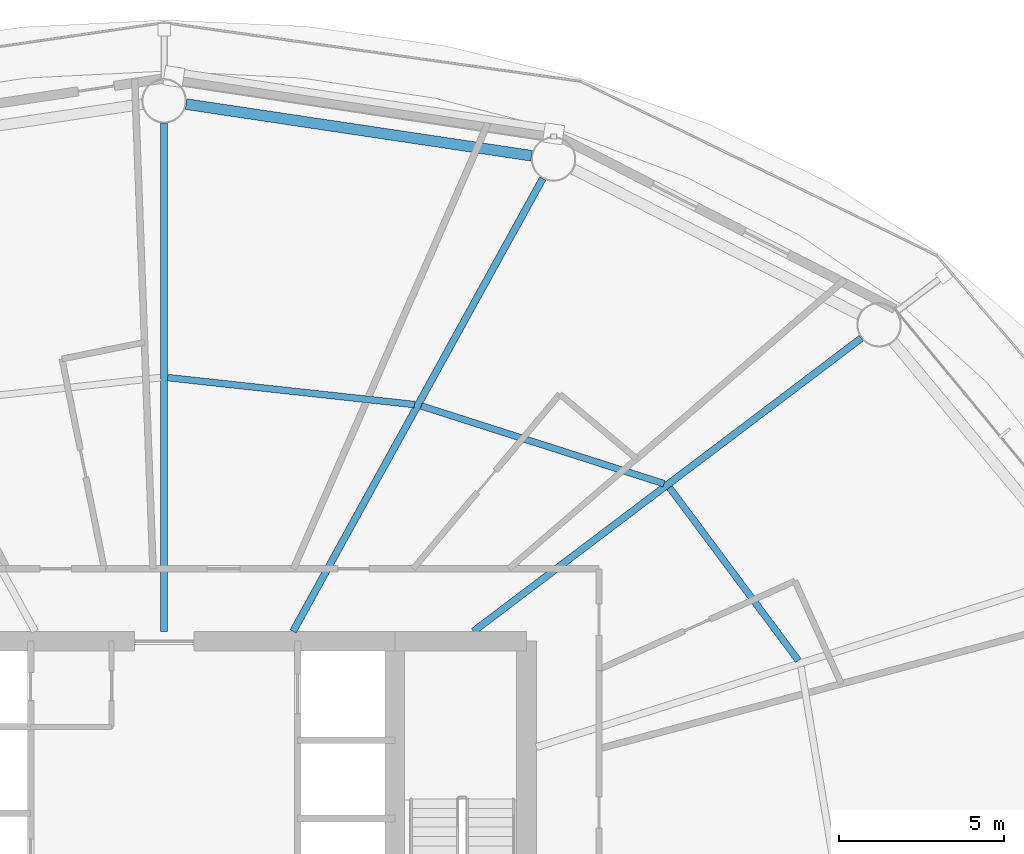
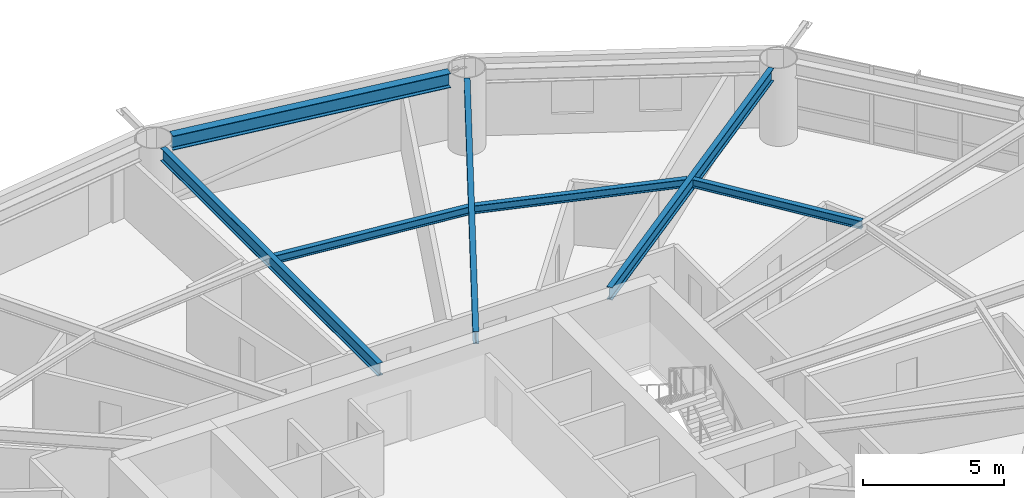
# One storey, part 13 of 26: 7 beams.
"""IFC4 building model written with IfcOpenShell, lengths in metres."""

from ifc_helpers import new_model, si_unit, direction, frame, origin, origin_2d, place, context, subcontext, project, spatial, i_section, extrude, material, material_profile, profile_set, type_object, element, save


model = new_model("IFC4")

# Units and contexts
model_context = context("Model", 3, precision=1e-05, world=origin(), true_north=direction((0.0, 1.0)))
body_context = subcontext(model_context, "Body", "Model", "MODEL_VIEW")
ifc_project = project(units=[si_unit("LENGTHUNIT", "METRE"), si_unit("AREAUNIT", "SQUARE_METRE"), si_unit("VOLUMEUNIT", "CUBIC_METRE"), si_unit("PLANEANGLEUNIT", "RADIAN"), si_unit("MASSUNIT", "GRAM", prefix="KILO")], contexts=[model_context])

# Site, building, storey
site_placement = place(None, origin())
site = spatial("IfcSite", under=ifc_project, at=site_placement, CompositionType="ELEMENT")
building_placement = place(site_placement, origin())
building = spatial("IfcBuilding", under=site, at=building_placement, Name="Sarneth Arch Tower", CompositionType="ELEMENT")
storey_placement = place(building_placement, frame((0.0, 0.0, 42.60009765625)))
storey = spatial("IfcBuildingStorey", under=building, at=storey_placement, Name="L09", CompositionType="ELEMENT", Elevation=42.60009765625)

# Beams
ifc_material_1 = material(Name="Steel S355", Category="steel")
ifc_material_profile_1 = material_profile(ifc_material_1, i_section(OverallWidth=0.2041015625, OverallDepth=0.35009765625, WebThickness=0.008544921875, FlangeThickness=0.01513671875, FilletRadius=0.014892578125, at=origin_2d()), Name="W360x72")
ifc_profile_set_1 = profile_set([ifc_material_profile_1], Name="Steel S355")
beam_type_1 = type_object("IfcBeamType", Name="BM-JOIST-360D", PredefinedType="JOIST", material=ifc_profile_set_1)
beam_1_placement = place(storey_placement, frame((67.2470703125, 48.216552734375, 3.204833984375), z_axis=(-0.597453564101, 0.801903509621, 0.0), x_axis=(-0.801903509621, -0.597453564101, 0.0)))
element("IfcBeam", 1, at=beam_1_placement, inside=storey, type_object=beam_type_1, Name="L09 Secondary floor joist 02", PredefinedType="JOIST", context=body_context, shape_type="SweptSolid", body=[
    extrude(i_section(OverallWidth=0.2041015625, OverallDepth=0.35009765625, WebThickness=0.008544921875, FlangeThickness=0.01513671875, FilletRadius=0.014892578125, at=origin_2d()), origin(), (0.0, 0.0, 1.0), 6.542724609375),
])
beam_2_placement = place(storey_placement, frame((63.17236328125, 53.58154296875, 3.204833984375), z_axis=(-0.952436240143, 0.304737934073, 0.0), x_axis=(-0.304737934073, -0.952436240143, 0.0)))
element("IfcBeam", 2, at=beam_2_placement, inside=storey, type_object=beam_type_1, Name="L09 Secondary floor joist 03", PredefinedType="JOIST", context=body_context, shape_type="SweptSolid", body=[
    extrude(i_section(OverallWidth=0.2041015625, OverallDepth=0.35009765625, WebThickness=0.008544921875, FlangeThickness=0.01513671875, FilletRadius=0.014892578125, at=origin_2d()), origin(), (0.0, 0.0, 1.0), 7.735107421875),
])
beam_3_placement = place(storey_placement, frame((55.596923828125, 55.983154296875, 3.204833984375), z_axis=(-0.994095251924, 0.108510967657, 0.0), x_axis=(-0.108510967657, -0.994095251924, 0.0)))
element("IfcBeam", 3, at=beam_3_placement, inside=storey, type_object=beam_type_1, Name="L09 Secondary floor joist 04", PredefinedType="JOIST", context=body_context, shape_type="SweptSolid", body=[
    extrude(i_section(OverallWidth=0.2041015625, OverallDepth=0.35009765625, WebThickness=0.008544921875, FlangeThickness=0.01513671875, FilletRadius=0.014892578125, at=origin_2d()), origin(), (0.0, 0.0, 1.0), 7.534912109375),
])
ifc_material_2 = material(Name="Steel S355", Category="steel")
ifc_material_profile_2 = material_profile(ifc_material_2, i_section(OverallWidth=0.214111328125, OverallDepth=0.549072265625, WebThickness=0.0146484375, FlangeThickness=0.023681640625, FilletRadius=0.01806640625, at=origin_2d()), Name="W530x138")
ifc_profile_set_2 = profile_set([ifc_material_profile_2], Name="Steel S355")
beam_type_2 = type_object("IfcBeamType", Name="BM-RAD-530A", PredefinedType="BEAM", material=ifc_profile_set_2)
beam_4_placement = place(storey_placement, frame((57.390380859375, 49.10009765625, 3.10546875), z_axis=(0.797656612852, 0.603111870198, 0.0), x_axis=(-0.603111870198, 0.797656612852, 0.0)))
element("IfcBeam", 4, at=beam_4_placement, inside=storey, type_object=beam_type_2, Name="L09 Radial floor girder 03", PredefinedType="BEAM", context=body_context, shape_type="SweptSolid", body=[
    extrude(i_section(OverallWidth=0.214111328125, OverallDepth=0.549072265625, WebThickness=0.0146484375, FlangeThickness=0.023681640625, FilletRadius=0.01806640625, at=origin_2d()), origin(), (0.0, 0.0, 1.0), 14.7529296875),
])
beam_5_placement = place(storey_placement, frame((51.91455078125, 49.10009765625, 3.10546875), z_axis=(0.482837562311, 0.875709933952, 0.0), x_axis=(-0.875709933952, 0.482837562311, 0.0)))
element("IfcBeam", 5, at=beam_5_placement, inside=storey, type_object=beam_type_2, Name="L09 Radial floor girder 04", PredefinedType="BEAM", context=body_context, shape_type="SweptSolid", body=[
    extrude(i_section(OverallWidth=0.214111328125, OverallDepth=0.549072265625, WebThickness=0.0146484375, FlangeThickness=0.023681640625, FilletRadius=0.01806640625, at=origin_2d()), origin(), (0.0, 0.0, 1.0), 15.693359375),
])
beam_6_placement = place(storey_placement, frame((48.0, 49.10009765625, 3.10546875), z_axis=(0.0, 1.0, 0.0), x_axis=(-1.0, 0.0, 0.0)))
element("IfcBeam", 6, at=beam_6_placement, inside=storey, type_object=beam_type_2, Name="L09 Radial floor girder 05", PredefinedType="BEAM", context=body_context, shape_type="SweptSolid", body=[
    extrude(i_section(OverallWidth=0.214111328125, OverallDepth=0.549072265625, WebThickness=0.0146484375, FlangeThickness=0.023681640625, FilletRadius=0.01806640625, at=origin_2d()), origin(), (0.0, 0.0, 1.0), 15.4248046875),
])
ifc_material_3 = material(Name="Steel S355", Category="steel")
ifc_material_profile_3 = material_profile(ifc_material_3, i_section(OverallWidth=0.326904296875, OverallDepth=0.6220703125, WebThickness=0.015380859375, FlangeThickness=0.0244140625, FilletRadius=0.01904296875, at=origin_2d()), Name="W610x195")
ifc_profile_set_3 = profile_set([ifc_material_profile_3], Name="Steel S355")
beam_type_3 = type_object("IfcBeamType", Name="BM-SPAN-610A", PredefinedType="SPANDREL", material=ifc_profile_set_3)
beam_7_placement = place(storey_placement, frame((59.150146484375, 63.53369140625, 3.06884765625), z_axis=(-0.989015788086, 0.147809914809, 0.0), x_axis=(-0.147809914809, -0.989015788086, 0.0)))
element("IfcBeam", 7, at=beam_7_placement, inside=storey, type_object=beam_type_3, Name="L09 Perimeter spandrel beam 04", PredefinedType="SPANDREL", context=body_context, shape_type="SweptSolid", body=[
    extrude(i_section(OverallWidth=0.326904296875, OverallDepth=0.6220703125, WebThickness=0.015380859375, FlangeThickness=0.0244140625, FilletRadius=0.01904296875, at=origin_2d()), origin(), (0.0, 0.0, 1.0), 10.59912109375),
])

save(model, "model.ifc")
